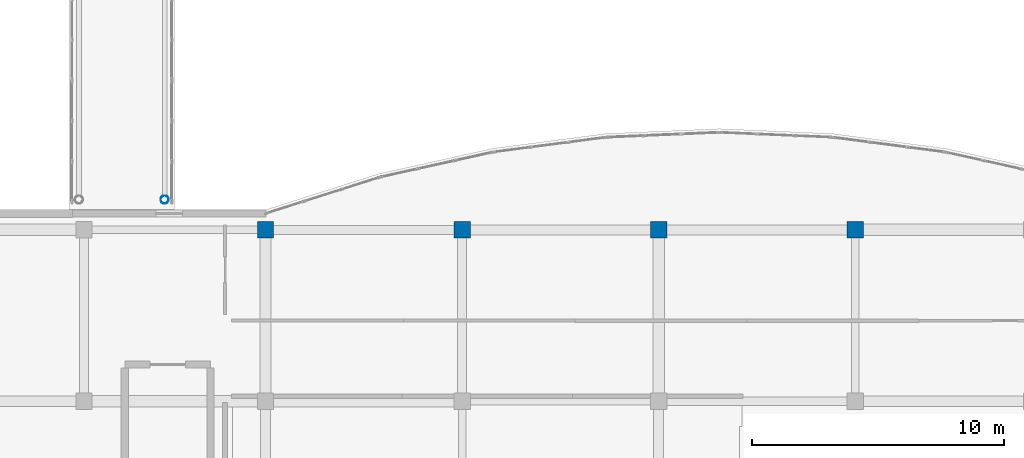
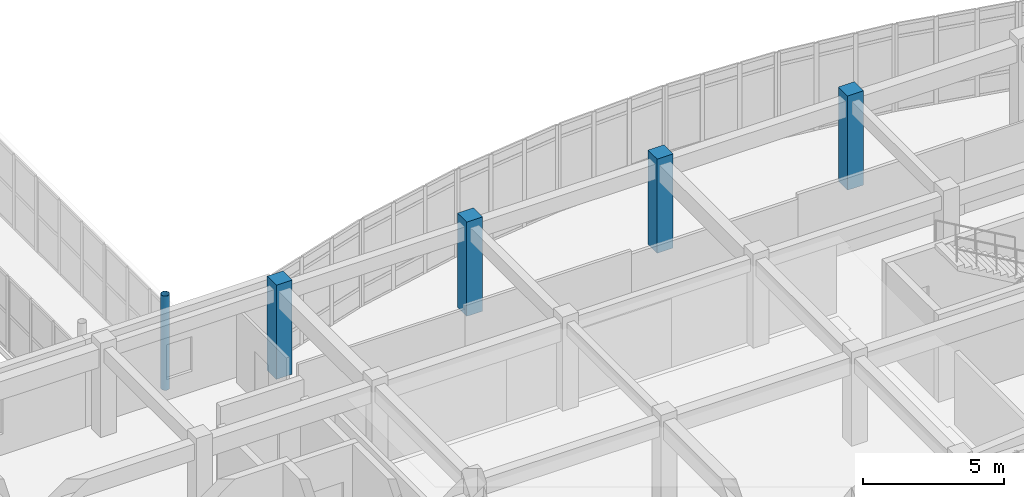
# One storey, part 6 of 146: 5 columns.
"""IFC4 building model written with IfcOpenShell, lengths in metres."""

from ifc_helpers import new_model, si_unit, direction, frame, origin, origin_2d, place, context, subcontext, project, spatial, rectangle, hollow_circle, extrude, material, material_profile, profile_set, type_object, element, save


model = new_model("IFC4")

# Units and contexts
model_context = context("Model", 3, precision=1e-05, world=origin(), true_north=direction((0.0, 1.0)))
body_context = subcontext(model_context, "Body", "Model", "MODEL_VIEW")
ifc_project = project(units=[si_unit("LENGTHUNIT", "METRE"), si_unit("AREAUNIT", "SQUARE_METRE"), si_unit("VOLUMEUNIT", "CUBIC_METRE"), si_unit("PLANEANGLEUNIT", "RADIAN"), si_unit("MASSUNIT", "GRAM", prefix="KILO")], contexts=[model_context])

# Site, building, storey
site_placement = place(None, origin())
site = spatial("IfcSite", under=ifc_project, at=site_placement, CompositionType="ELEMENT")
building_placement = place(site_placement, origin())
building = spatial("IfcBuilding", under=site, at=building_placement, Name="Valcora Specialist Clinic", CompositionType="ELEMENT")
storey_placement = place(building_placement, frame((0.0, 0.0, 9.52001953125)))
storey = spatial("IfcBuildingStorey", under=building, at=storey_placement, Name="L02", CompositionType="ELEMENT", Elevation=9.52001953125)

# Columns
ifc_material_1 = material(Name="Steel ASTM A500 Grade C", Category="steel")
ifc_material_profile_1 = material_profile(ifc_material_1, hollow_circle(Radius=0.162109375, WallThickness=0.011962890625, at=origin_2d()), Name="ST-CHS-324X12")
ifc_profile_set_1 = profile_set([ifc_material_profile_1], Name="Steel ASTM A500 Grade C")
column_type_1 = type_object("IfcColumnType", Name="TY-COL-CHS324", PredefinedType="COLUMN", material=ifc_profile_set_1)
column_placement = place(storey_placement, frame((65.0, 23.199951171875, 0.0), z_axis=(0.0, 0.0, 1.0), x_axis=(1.0, 0.0, 0.0)))
element("IfcColumn", 1, at=column_placement, inside=storey, type_object=column_type_1, Name="Column COL-L02-0986", PredefinedType="COLUMN", context=body_context, shape_type="SweptSolid", body=[
    extrude(hollow_circle(Radius=0.162109375, WallThickness=0.011962890625, at=origin_2d()), origin(), (0.0, 0.0, 1.0), 4.080078125),
])
ifc_material_2 = material(Name="Concrete C40/50", Category="concrete")
ifc_material_profile_2 = material_profile(ifc_material_2, rectangle(XDim=0.64990234375, YDim=0.64990234375, at=origin_2d()), Name="RC-COL-650X650")
ifc_profile_set_2 = profile_set([ifc_material_profile_2], Name="Concrete C40/50")
column_type_2 = type_object("IfcColumnType", Name="TY-COL-RC650", PredefinedType="COLUMN", material=ifc_profile_set_2)
for number, where, z_axis, x_axis, name in (
    (2, (69.0, 22.0, 0.0), (0.0, 0.0, 1.0), (1.0, 0.0, 0.0), "Column COL-L02-0804"),
    (3, (76.800048828125, 22.0, 0.0), (0.0, 0.0, 1.0), (1.0, 0.0, 0.0), "Column COL-L02-0827"),
    (4, (84.60009765625, 22.0, 0.0), (0.0, 0.0, 1.0), (1.0, 0.0, 0.0), "Column COL-L02-0850"),
    (5, (92.39990234375, 22.0, 0.0), (0.0, 0.0, 1.0), (1.0, 0.0, 0.0), "Column COL-L02-0873"),
):
    element("IfcColumn", number, at=place(storey_placement, frame(where, z_axis=z_axis, x_axis=x_axis)), inside=storey, type_object=column_type_2, Name=name, PredefinedType="COLUMN", context=body_context, shape_type="SweptSolid", body=[
        extrude(rectangle(XDim=0.64990234375, YDim=0.64990234375, at=origin_2d()), origin(), (0.0, 0.0, 1.0), 4.080078125),
    ])

save(model, "model.ifc")
